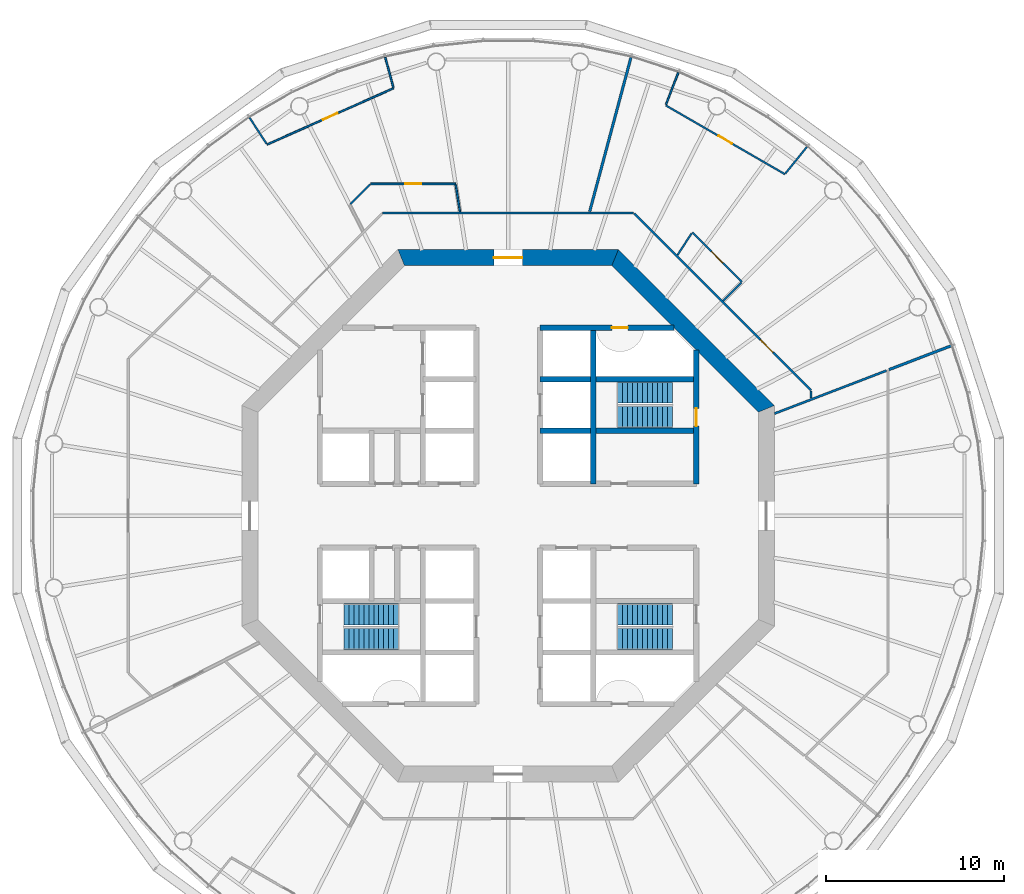
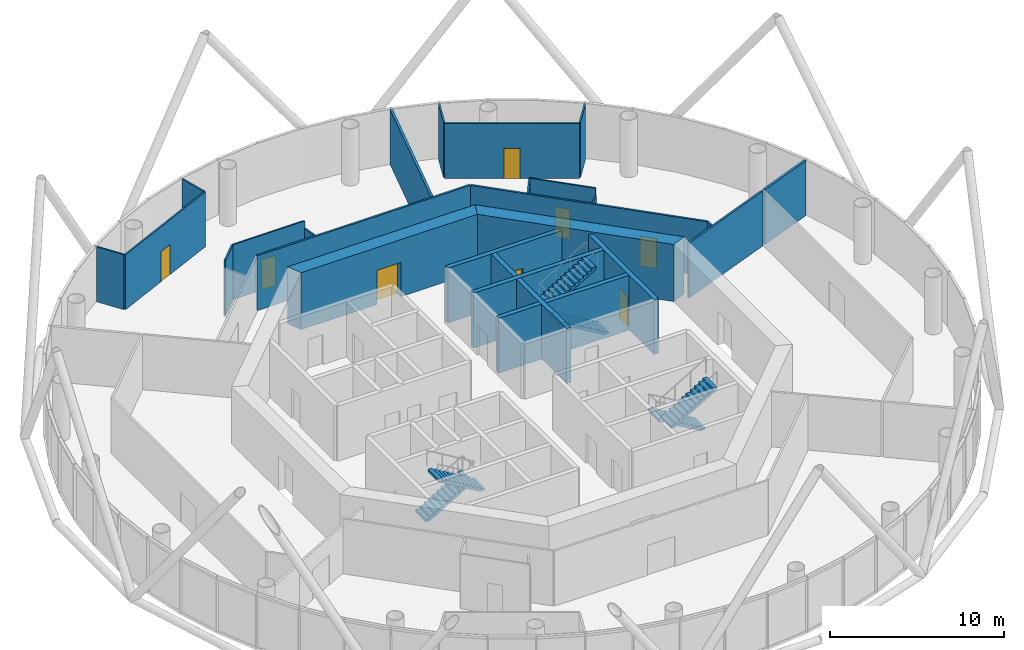
# One storey, part 5 of 12: 25 walls, 8 doors, 6 stair flights, 8 openings, 3 elements without a shape of their own.
"""IFC4 building model written with IfcOpenShell, lengths in metres."""

from ifc_helpers import new_model, si_unit, direction, frame, frame_2d, origin, place, context, subcontext, project, spatial, polyline, rectangle, outline, extrude, material, layer, layer_set, type_object, element, fill, aggregate, save


model = new_model("IFC4")

# Units and contexts
model_context = context("Model", 3, precision=1e-05, world=origin(), true_north=direction((0.0, 1.0)))
body_context = subcontext(model_context, "Body", "Model", "MODEL_VIEW")
ifc_project = project(units=[si_unit("LENGTHUNIT", "METRE"), si_unit("AREAUNIT", "SQUARE_METRE"), si_unit("VOLUMEUNIT", "CUBIC_METRE"), si_unit("PLANEANGLEUNIT", "RADIAN"), si_unit("MASSUNIT", "GRAM", prefix="KILO")], contexts=[model_context])

# Site, building, storey
site_placement = place(None, origin())
site = spatial("IfcSite", under=ifc_project, at=site_placement, CompositionType="ELEMENT")
building_placement = place(site_placement, origin())
building = spatial("IfcBuilding", under=site, at=building_placement, Name="Entoto Ring Tower", CompositionType="ELEMENT")
storey_placement = place(building_placement, frame((0.0, 0.0, 206.0)))
storey = spatial("IfcBuildingStorey", under=building, at=storey_placement, Name="L47", CompositionType="ELEMENT", Elevation=206.0)

# Wall, opening, door
ifc_material_1 = material(Name="Concrete C40/50", Category="concrete")
ifc_layer_1 = layer(ifc_material_1, 0.300048828125)
ifc_layer_set_1 = layer_set([ifc_layer_1], Name="Concrete C40/50")
wall_type_1 = type_object("IfcWallType", Name="Core enclosure wall 300 mm reinforced concrete", PredefinedType="SOLIDWALL", material=ifc_layer_set_1)
wall_1_placement = place(storey_placement, frame((100.60009765625, 81.800048828125, 0.0), z_axis=(0.0, 0.0, 1.0), x_axis=(0.0, 1.0, 0.0)))
wall_1 = element("IfcWall", 1, at=wall_1_placement, inside=storey, type_object=wall_type_1, Name="wall-L47-002", PredefinedType="SOLIDWALL", context=body_context, shape_type="SweptSolid", body=[
    extrude(rectangle(XDim=7.540283203125, YDim=0.300048828125, at=frame_2d((3.77001953125, 0.0))), origin(), (0.0, 0.0, 1.0), 3.85009765625),
])
opening_1_placement = place(wall_1_placement, frame((3.25, 0.0, 0.0)))
opening_1 = element("IfcOpeningElement", 2, at=opening_1_placement, cuts=wall_1, Name="Opening K-17", PredefinedType="OPENING", context=body_context, shape_type="SweptSolid", body=[
    extrude(rectangle(XDim=1.0, YDim=2.10009765625, at=frame_2d((0.5, 1.050048828125))), frame((0.0, 0.16015625, 0.0), z_axis=(0.0, -1.0, 0.0), x_axis=(1.0, 0.0, 0.0)), (0.0, 0.0, 1.0), 0.320068359375),
])
ifc_material_2 = material(Name="Steel door leaf, fire rated", Category="steel")
ifc_layer_2 = layer(ifc_material_2, 0.050048828125)
ifc_layer_set_2 = layer_set([ifc_layer_2], Name="Steel door leaf, fire rated")
door_type_1 = type_object("IfcDoorType", Name="Fire door FD60 1000 x 2100 single leaf", OperationType="NOTDEFINED", PredefinedType="DOOR", material=ifc_layer_set_2)
door_1_placement = place(opening_1_placement, origin())
door_1 = element("IfcDoor", 3, at=door_1_placement, inside=storey, type_object=door_type_1, Name="Door K-17", OperationType="SINGLE_SWING_LEFT", OverallHeight=2.10009765625, OverallWidth=1.0, PredefinedType="DOOR", context=body_context, shape_type="SweptSolid", body=[
    extrude(rectangle(XDim=1.0, YDim=2.10009765625, at=frame_2d((0.5, 1.050048828125))), frame((0.0, 0.02490234375, 0.0), z_axis=(0.0, -1.0, 0.0), x_axis=(1.0, 0.0, 0.0)), (0.0, 0.0, 1.0), 0.050048828125),
])
fill(opening_1, door_1)

# Walls
for number, where, z_axis, x_axis, name in (
    (4, (94.800048828125, 81.800048828125, 0.0), (0.0, 0.0, 1.0), (0.0, 1.0, 0.0), "wall-L47-004"),
    (5, (91.800048828125, 84.800048828125, 0.0), (0.0, 0.0, 1.0), (1.0, 0.0, 0.0), "wall-L47-028"),
    (6, (91.800048828125, 87.699951171875, 0.0), (0.0, 0.0, 1.0), (1.0, 0.0, 0.0), "wall-L47-030"),
):
    element("IfcWall", number, at=place(storey_placement, frame(where, z_axis=z_axis, x_axis=x_axis)), inside=storey, type_object=wall_type_1, Name=name, PredefinedType="SOLIDWALL", context=body_context, shape_type="SweptSolid", body=[
        extrude(rectangle(XDim=8.800048828125, YDim=0.300048828125, at=frame_2d((4.39990234375, 0.0))), origin(), (0.0, 0.0, 1.0), 3.85009765625),
    ])

# Wall, opening, door
wall_2_placement = place(storey_placement, frame((91.800048828125, 90.60009765625, 0.0), z_axis=(0.0, 0.0, 1.0), x_axis=(1.0, 0.0, 0.0)))
wall_2 = element("IfcWall", 7, at=wall_2_placement, inside=storey, type_object=wall_type_1, Name="wall-L47-032", PredefinedType="SOLIDWALL", context=body_context, shape_type="SweptSolid", body=[
    extrude(rectangle(XDim=7.540283203125, YDim=0.300048828125, at=frame_2d((3.77001953125, 0.0))), origin(), (0.0, 0.0, 1.0), 3.85009765625),
])
opening_2_placement = place(wall_2_placement, frame((4.050048828125, 0.0, 0.0)))
opening_2 = element("IfcOpeningElement", 8, at=opening_2_placement, cuts=wall_2, Name="Opening K-20", PredefinedType="OPENING", context=body_context, shape_type="SweptSolid", body=[
    extrude(rectangle(XDim=0.89990234375, YDim=2.10009765625, at=frame_2d((0.449951171875, 1.050048828125))), frame((0.0, 0.16015625, 0.0), z_axis=(0.0, -1.0, 0.0), x_axis=(1.0, 0.0, 0.0)), (0.0, 0.0, 1.0), 0.320068359375),
])
ifc_material_3 = material(Name="Steel door leaf, fire rated", Category="steel")
ifc_layer_3 = layer(ifc_material_3, 0.050048828125)
ifc_layer_set_3 = layer_set([ifc_layer_3], Name="Steel door leaf, fire rated")
door_type_2 = type_object("IfcDoorType", Name="Riser door FD60 900 x 2100 single leaf", OperationType="NOTDEFINED", PredefinedType="DOOR", material=ifc_layer_set_3)
door_2_placement = place(opening_2_placement, frame((0.89990234375, 0.0, 0.0), z_axis=(0.0, 0.0, 1.0), x_axis=(-1.0, 0.0, 0.0)))
door_2 = element("IfcDoor", 9, at=door_2_placement, inside=storey, type_object=door_type_2, Name="Door K-20", OperationType="SINGLE_SWING_RIGHT", OverallHeight=2.10009765625, OverallWidth=0.89990234375, PredefinedType="DOOR", context=body_context, shape_type="SweptSolid", body=[
    extrude(rectangle(XDim=0.89990234375, YDim=2.10009765625, at=frame_2d((0.449951171875, 1.050048828125))), frame((0.0, 0.02490234375, 0.0), z_axis=(0.0, -1.0, 0.0), x_axis=(1.0, 0.0, 0.0)), (0.0, 0.0, 1.0), 0.050048828125),
])
fill(opening_2, door_2)

# Wall
ifc_material_4 = material(Name="Concrete C50/60", Category="concrete")
ifc_layer_4 = layer(ifc_material_4, 0.89990234375)
ifc_layer_set_4 = layer_set([ifc_layer_4], Name="Concrete C50/60")
wall_type_2 = type_object("IfcWallType", Name="Core shear wall 900 mm reinforced concrete C50/60", PredefinedType="SHEAR", material=ifc_layer_set_4)
wall_3_placement = place(storey_placement, frame((104.550048828125, 86.02685546875, 0.0), z_axis=(0.0, 0.0, 1.0), x_axis=(-0.707106781187, 0.707106781187, 0.0)))
element("IfcWall", 10, at=wall_3_placement, inside=storey, type_object=wall_type_2, Name="wall-L47-core-1", PredefinedType="SHEAR", context=body_context, shape_type="SweptSolid", body=[
    extrude(outline(polyline([(-0.186279296875, -0.449951171875), (12.239990234375, -0.449951171875), (11.867431640625, 0.449951171875), (0.186279296875, 0.449951171875), (-0.186279296875, -0.449951171875)])), origin(), (0.0, 0.0, 1.0), 4.0),
])

# Wall, opening, door
wall_4_placement = place(storey_placement, frame((96.02685546875, 94.550048828125, 0.0), z_axis=(0.0, 0.0, 1.0), x_axis=(-1.0, 0.0, 0.0)))
wall_4 = element("IfcWall", 11, at=wall_4_placement, inside=storey, type_object=wall_type_2, Name="wall-L47-core-2", PredefinedType="SHEAR", context=body_context, shape_type="SweptSolid", body=[
    extrude(outline(polyline([(-0.186279296875, -0.449951171875), (12.239990234375, -0.449951171875), (11.867431640625, 0.449951171875), (0.186279296875, 0.449951171875), (-0.186279296875, -0.449951171875)])), origin(), (0.0, 0.0, 1.0), 4.0),
])
opening_3_placement = place(wall_4_placement, frame((5.226806640625, 0.0, 0.0)))
opening_3 = element("IfcOpeningElement", 12, at=opening_3_placement, cuts=wall_4, Name="Opening K-02", PredefinedType="OPENING", context=body_context, shape_type="SweptSolid", body=[
    extrude(rectangle(XDim=1.60009765625, YDim=2.39990234375, at=frame_2d((0.800048828125, 1.199951171875))), frame((0.0, 0.4599609375, 0.0), z_axis=(0.0, -1.0, 0.0), x_axis=(1.0, 0.0, 0.0)), (0.0, 0.0, 1.0), 0.919921875),
])
ifc_material_5 = material(Name="Steel door leaf, fire rated", Category="steel")
ifc_layer_5 = layer(ifc_material_5, 0.050048828125)
ifc_layer_set_5 = layer_set([ifc_layer_5], Name="Steel door leaf, fire rated")
door_type_3 = type_object("IfcDoorType", Name="Entrance door FD60 1600 x 2400 double leaf", OperationType="DOUBLE_DOOR_SINGLE_SWING", PredefinedType="DOOR", material=ifc_layer_set_5)
door_3_placement = place(opening_3_placement, origin())
door_3 = element("IfcDoor", 13, at=door_3_placement, inside=storey, type_object=door_type_3, Name="Entrance door K-02", OperationType="DOUBLE_DOOR_SINGLE_SWING", OverallHeight=2.39990234375, OverallWidth=1.60009765625, PredefinedType="DOOR", context=body_context, shape_type="SweptSolid", body=[
    extrude(rectangle(XDim=1.60009765625, YDim=2.39990234375, at=frame_2d((0.800048828125, 1.199951171875))), frame((0.0, 0.02490234375, 0.0), z_axis=(0.0, -1.0, 0.0), x_axis=(1.0, 0.0, 0.0)), (0.0, 0.0, 1.0), 0.050048828125),
])
fill(opening_3, door_3)

# Wall
ifc_material_6 = material(Name="Fire-resisting plasterboard on steel studs", Category="steel")
ifc_layer_6 = layer(ifc_material_6, 0.125)
ifc_layer_set_6 = layer_set([ifc_layer_6], Name="Fire-resisting plasterboard on steel studs")
wall_type_3 = type_object("IfcWallType", Name="Corridor wall 125 mm one-hour plasterboard on steel studs", PredefinedType="PARTITIONING", material=ifc_layer_set_6)
wall_5_placement = place(storey_placement, frame((82.9326171875, 97.0625, 0.0), z_axis=(0.0, 0.0, 1.0), x_axis=(1.0, 0.0, 0.0)))
element("IfcWall", 14, at=wall_5_placement, inside=storey, type_object=wall_type_3, Name="partition-L47-004", PredefinedType="PARTITIONING", context=body_context, shape_type="SweptSolid", body=[
    extrude(rectangle(XDim=14.134765625, YDim=0.125, at=frame_2d((7.0673828125, 0.0))), origin(), (0.0, 0.0, 1.0), 3.85009765625),
])

# Wall, opening, door
wall_6_placement = place(storey_placement, frame((107.0625, 87.0673828125, 0.0), z_axis=(0.0, 0.0, 1.0), x_axis=(-0.707098118263, 0.707115444004, 0.0)))
wall_6 = element("IfcWall", 15, at=wall_6_placement, inside=storey, type_object=wall_type_3, Name="partition-L47-005", PredefinedType="PARTITIONING", context=body_context, shape_type="SweptSolid", body=[
    extrude(rectangle(XDim=14.09130859375, YDim=0.125, at=frame_2d((7.045654296875, 0.0))), origin(), (0.0, 0.0, 1.0), 3.85009765625),
])
opening_4_placement = place(wall_6_placement, frame((3.03369140625, 0.0, 0.0)))
opening_4 = element("IfcOpeningElement", 16, at=opening_4_placement, cuts=wall_6, Name="Opening A21-D03", PredefinedType="OPENING", context=body_context, shape_type="SweptSolid", body=[
    extrude(rectangle(XDim=1.0, YDim=2.10009765625, at=frame_2d((0.5, 1.050048828125))), frame((0.0, 0.072509765625, 0.0), z_axis=(0.0, -1.0, 0.0), x_axis=(1.0, 0.0, 0.0)), (0.0, 0.0, 1.0), 0.14501953125),
])
ifc_material_7 = material(Name="Fire-resisting timber door set", Category="wood")
door_type_4 = type_object("IfcDoorType", Name="Door 1000 x 2100 single leaf FD30S fire door", OperationType="NOTDEFINED", PredefinedType="DOOR", material=ifc_material_7)
door_4_placement = place(opening_4_placement, frame((1.0, 0.0, 0.0), z_axis=(0.0, 0.0, 1.0), x_axis=(-1.0, 0.0, 0.0)))
door_4 = element("IfcDoor", 17, at=door_4_placement, inside=storey, type_object=door_type_4, Name="Door A21-D03", OperationType="SINGLE_SWING_LEFT", OverallHeight=2.10009765625, OverallWidth=1.0, PredefinedType="DOOR", context=body_context, shape_type="SweptSolid", body=[
    extrude(rectangle(XDim=1.0, YDim=2.10009765625, at=frame_2d((0.5, 1.050048828125))), frame((0.0, 0.02490234375, 0.0), z_axis=(0.0, -1.0, 0.0), x_axis=(1.0, 0.0, 0.0)), (0.0, 0.0, 1.0), 0.050048828125),
])
fill(opening_4, door_4)

# Walls
wall_7_placement = place(storey_placement, frame((105.0, 85.758056640625, 0.0), z_axis=(0.0, 0.0, 1.0), x_axis=(0.933585389183, 0.358355021038, 0.0)))
element("IfcWall", 18, at=wall_7_placement, inside=storey, type_object=wall_type_3, Name="partition-L47-009", PredefinedType="PARTITIONING", context=body_context, shape_type="SweptSolid", body=[
    extrude(rectangle(XDim=6.764404296875, YDim=0.125, at=frame_2d((3.38232421875, 0.0))), origin(), (0.0, 0.0, 1.0), 3.85009765625),
])
wall_8_placement = place(storey_placement, frame((107.0625, 86.640380859375, 0.0), z_axis=(0.0, 0.0, 1.0), x_axis=(0.0, 1.0, 0.0)))
element("IfcWall", 19, at=wall_8_placement, inside=storey, type_object=wall_type_3, Name="partition-L47-016", PredefinedType="PARTITIONING", context=body_context, shape_type="SweptSolid", body=[
    extrude(rectangle(XDim=0.383056640625, YDim=0.125, at=frame_2d((0.19140625, 0.0))), origin(), (0.0, 0.0, 1.0), 3.85009765625),
])

# Wall, opening, door
ifc_material_8 = material(Name="Plasterboard on steel studs", Category="steel")
ifc_layer_7 = layer(ifc_material_8, 0.10009765625)
ifc_layer_set_7 = layer_set([ifc_layer_7], Name="Plasterboard on steel studs")
wall_type_4 = type_object("IfcWallType", Name="Partition 100 mm plasterboard on steel studs", PredefinedType="PARTITIONING", material=ifc_layer_set_7)
wall_9_placement = place(storey_placement, frame((76.416748046875, 100.91650390625, 0.0), z_axis=(0.0, 0.0, 1.0), x_axis=(0.913554608745, 0.406716088741, 0.0)))
wall_9 = element("IfcWall", 20, at=wall_9_placement, inside=storey, type_object=wall_type_4, Name="partition-L47-022", PredefinedType="PARTITIONING", context=body_context, shape_type="SweptSolid", body=[
    extrude(rectangle(XDim=7.802978515625, YDim=0.10009765625, at=frame_2d((3.9013671875, 0.0))), origin(), (0.0, 0.0, 1.0), 3.85009765625),
])
opening_5_placement = place(wall_9_placement, frame((3.451416015625, 0.0, 0.0)))
opening_5 = element("IfcOpeningElement", 21, at=opening_5_placement, cuts=wall_9, Name="Opening A21-D08", PredefinedType="OPENING", context=body_context, shape_type="SweptSolid", body=[
    extrude(rectangle(XDim=0.89990234375, YDim=2.10009765625, at=frame_2d((0.449951171875, 1.050048828125))), frame((0.0, 0.06005859375, 0.0), z_axis=(0.0, -1.0, 0.0), x_axis=(1.0, 0.0, 0.0)), (0.0, 0.0, 1.0), 0.1201171875),
])
ifc_material_9 = material(Name="Veneered timber door leaf in timber frame", Category="wood")
door_type_5 = type_object("IfcDoorType", Name="Door 900 x 2100 single leaf timber veneer", OperationType="NOTDEFINED", PredefinedType="DOOR", material=ifc_material_9)
door_5_placement = place(opening_5_placement, origin())
door_5 = element("IfcDoor", 22, at=door_5_placement, inside=storey, type_object=door_type_5, Name="Door A21-D08", OperationType="SINGLE_SWING_LEFT", OverallHeight=2.10009765625, OverallWidth=0.89990234375, PredefinedType="DOOR", context=body_context, shape_type="SweptSolid", body=[
    extrude(rectangle(XDim=0.89990234375, YDim=2.10009765625, at=frame_2d((0.449951171875, 1.050048828125))), frame((0.0, 0.02490234375, 0.0), z_axis=(0.0, -1.0, 0.0), x_axis=(1.0, 0.0, 0.0)), (0.0, 0.0, 1.0), 0.050048828125),
])
fill(opening_5, door_5)

wall_10_placement = place(storey_placement, frame((105.58837890625, 99.25, 0.0), z_axis=(0.0, 0.0, 1.0), x_axis=(-0.866038174919, 0.499977879093, 0.0)))
wall_10 = element("IfcWall", 23, at=wall_10_placement, inside=storey, type_object=wall_type_4, Name="partition-L47-024", PredefinedType="PARTITIONING", context=body_context, shape_type="SweptSolid", body=[
    extrude(rectangle(XDim=7.749755859375, YDim=0.10009765625, at=frame_2d((3.875, 0.0))), origin(), (0.0, 0.0, 1.0), 3.85009765625),
])
opening_6_placement = place(wall_10_placement, frame((3.4248046875, 0.0, 0.0)))
opening_6 = element("IfcOpeningElement", 24, at=opening_6_placement, cuts=wall_10, Name="Opening A21-D05", PredefinedType="OPENING", context=body_context, shape_type="SweptSolid", body=[
    extrude(rectangle(XDim=0.89990234375, YDim=2.10009765625, at=frame_2d((0.449951171875, 1.050048828125))), frame((0.0, 0.06005859375, 0.0), z_axis=(0.0, -1.0, 0.0), x_axis=(1.0, 0.0, 0.0)), (0.0, 0.0, 1.0), 0.1201171875),
])
door_6_placement = place(opening_6_placement, frame((0.89990234375, 0.0, 0.0), z_axis=(0.0, 0.0, 1.0), x_axis=(-1.0, 0.0, 0.0)))
door_6 = element("IfcDoor", 25, at=door_6_placement, inside=storey, type_object=door_type_5, Name="Door A21-D05", OperationType="SINGLE_SWING_LEFT", OverallHeight=2.10009765625, OverallWidth=0.89990234375, PredefinedType="DOOR", context=body_context, shape_type="SweptSolid", body=[
    extrude(rectangle(XDim=0.89990234375, YDim=2.10009765625, at=frame_2d((0.449951171875, 1.050048828125))), frame((0.0, 0.02490234375, 0.0), z_axis=(0.0, -1.0, 0.0), x_axis=(1.0, 0.0, 0.0)), (0.0, 0.0, 1.0), 0.050048828125),
])
fill(opening_6, door_6)

wall_11_placement = place(storey_placement, frame((82.253173828125, 98.702392578125, 0.0), z_axis=(0.0, 0.0, 1.0), x_axis=(1.0, 0.0, 0.0)))
wall_11 = element("IfcWall", 26, at=wall_11_placement, inside=storey, type_object=wall_type_4, Name="partition-L47-025", PredefinedType="PARTITIONING", context=body_context, shape_type="SweptSolid", body=[
    extrude(rectangle(XDim=4.78466796875, YDim=0.10009765625, at=frame_2d((2.392333984375, 0.0))), origin(), (0.0, 0.0, 1.0), 3.85009765625),
])
opening_7_placement = place(wall_11_placement, frame((1.9423828125, 0.0, 0.0)))
opening_7 = element("IfcOpeningElement", 27, at=opening_7_placement, cuts=wall_11, Name="Opening A21-D07", PredefinedType="OPENING", context=body_context, shape_type="SweptSolid", body=[
    extrude(rectangle(XDim=0.89990234375, YDim=2.10009765625, at=frame_2d((0.449951171875, 1.050048828125))), frame((0.0, 0.06005859375, 0.0), z_axis=(0.0, -1.0, 0.0), x_axis=(1.0, 0.0, 0.0)), (0.0, 0.0, 1.0), 0.1201171875),
])
door_7_placement = place(opening_7_placement, frame((0.89990234375, 0.0, 0.0), z_axis=(0.0, 0.0, 1.0), x_axis=(-1.0, 0.0, 0.0)))
door_7 = element("IfcDoor", 28, at=door_7_placement, inside=storey, type_object=door_type_5, Name="Door A21-D07", OperationType="SINGLE_SWING_LEFT", OverallHeight=2.10009765625, OverallWidth=0.89990234375, PredefinedType="DOOR", context=body_context, shape_type="SweptSolid", body=[
    extrude(rectangle(XDim=0.89990234375, YDim=2.10009765625, at=frame_2d((0.449951171875, 1.050048828125))), frame((0.0, 0.02490234375, 0.0), z_axis=(0.0, -1.0, 0.0), x_axis=(1.0, 0.0, 0.0)), (0.0, 0.0, 1.0), 0.050048828125),
])
fill(opening_7, door_7)

wall_12_placement = place(storey_placement, frame((103.168212890625, 93.168212890625, 0.0), z_axis=(0.0, 0.0, 1.0), x_axis=(-0.707137619486, 0.707075941542, 0.0)))
wall_12 = element("IfcWall", 29, at=wall_12_placement, inside=storey, type_object=wall_type_4, Name="partition-L47-027", PredefinedType="PARTITIONING", context=body_context, shape_type="SweptSolid", body=[
    extrude(rectangle(XDim=3.958251953125, YDim=0.10009765625, at=frame_2d((1.97900390625, 0.0))), origin(), (0.0, 0.0, 1.0), 3.85009765625),
])
opening_8_placement = place(wall_12_placement, frame((1.529296875, 0.0, 0.0)))
opening_8 = element("IfcOpeningElement", 30, at=opening_8_placement, cuts=wall_12, Name="Opening A21-D04", PredefinedType="OPENING", context=body_context, shape_type="SweptSolid", body=[
    extrude(rectangle(XDim=0.89990234375, YDim=2.10009765625, at=frame_2d((0.449951171875, 1.050048828125))), frame((0.0, 0.06005859375, 0.0), z_axis=(0.0, -1.0, 0.0), x_axis=(1.0, 0.0, 0.0)), (0.0, 0.0, 1.0), 0.1201171875),
])
door_8_placement = place(opening_8_placement, origin())
door_8 = element("IfcDoor", 31, at=door_8_placement, inside=storey, type_object=door_type_5, Name="Door A21-D04", OperationType="SINGLE_SWING_RIGHT", OverallHeight=2.10009765625, OverallWidth=0.89990234375, PredefinedType="DOOR", context=body_context, shape_type="SweptSolid", body=[
    extrude(rectangle(XDim=0.89990234375, YDim=2.10009765625, at=frame_2d((0.449951171875, 1.050048828125))), frame((0.0, 0.02490234375, 0.0), z_axis=(0.0, -1.0, 0.0), x_axis=(1.0, 0.0, 0.0)), (0.0, 0.0, 1.0), 0.050048828125),
])
fill(opening_8, door_8)

# Walls
for number, where, z_axis, x_axis, name in (
    (32, (98.894287109375, 103.1708984375, 0.0), (0.0, 0.0, 1.0), (0.358467939372, 0.933542037855, 0.0), "partition-L47-028"),
    (33, (105.619384765625, 99.2880859375, 0.0), (0.0, 0.0, 1.0), (0.629179945972, 0.77725967063, 0.0), "partition-L47-029"),
):
    element("IfcWall", number, at=place(storey_placement, frame(where, z_axis=z_axis, x_axis=x_axis)), inside=storey, type_object=wall_type_4, Name=name, PredefinedType="PARTITIONING", context=body_context, shape_type="SweptSolid", body=[
        extrude(rectangle(XDim=1.920654296875, YDim=0.10009765625, at=frame_2d((0.96044921875, 0.0))), origin(), (0.0, 0.0, 1.0), 3.85009765625),
    ])
for number, where, z_axis, x_axis, name in (
    (34, (83.5322265625, 104.1376953125, 0.0), (0.0, 0.0, 1.0), (-0.258808109148, 0.965928756503, 0.0), "partition-L47-032"),
    (35, (76.389892578125, 100.957763671875, 0.0), (0.0, 0.0, 1.0), (-0.544684420792, 0.838641092331, 0.0), "partition-L47-033"),
):
    element("IfcWall", number, at=place(storey_placement, frame(where, z_axis=z_axis, x_axis=x_axis)), inside=storey, type_object=wall_type_4, Name=name, PredefinedType="PARTITIONING", context=body_context, shape_type="SweptSolid", body=[
        extrude(rectangle(XDim=1.750732421875, YDim=0.10009765625, at=frame_2d((0.87548828125, 0.0))), origin(), (0.0, 0.0, 1.0), 3.85009765625),
    ])
wall_13_placement = place(storey_placement, frame((81.105712890625, 97.55517578125, 0.0), z_axis=(0.0, 0.0, 1.0), x_axis=(0.707106781187, 0.707106781187, 0.0)))
element("IfcWall", 36, at=wall_13_placement, inside=storey, type_object=wall_type_4, Name="partition-L47-036", PredefinedType="PARTITIONING", context=body_context, shape_type="SweptSolid", body=[
    extrude(rectangle(XDim=1.587646484375, YDim=0.10009765625, at=frame_2d((0.7939453125, 0.0))), origin(), (0.0, 0.0, 1.0), 3.85009765625),
])
wall_14_placement = place(storey_placement, frame((99.541015625, 94.69189453125, 0.0), z_axis=(0.0, 0.0, 1.0), x_axis=(0.544735383894, 0.838607990383, 0.0)))
element("IfcWall", 37, at=wall_14_placement, inside=storey, type_object=wall_type_4, Name="partition-L47-039", PredefinedType="PARTITIONING", context=body_context, shape_type="SweptSolid", body=[
    extrude(rectangle(XDim=1.458740234375, YDim=0.10009765625, at=frame_2d((0.7294921875, 0.0))), origin(), (0.0, 0.0, 1.0), 3.85009765625),
])
ifc_material_10 = material(Name="Plasterboard on steel studs", Category="steel")
ifc_layer_8 = layer(ifc_material_10, 0.10009765625)
ifc_layer_set_8 = layer_set([ifc_layer_8], Name="Plasterboard on steel studs")
wall_type_5 = type_object("IfcWallType", Name="Partition 100 mm plasterboard on steel studs, 3350 mm high", PredefinedType="PARTITIONING", material=ifc_layer_set_8)
wall_15_placement = place(storey_placement, frame((87.286376953125, 97.1328125, 0.0), z_axis=(0.0, 0.0, 1.0), x_axis=(-0.156475439167, 0.98768185006, 0.0)))
element("IfcWall", 38, at=wall_15_placement, inside=storey, type_object=wall_type_5, Name="partition-L47-038", PredefinedType="PARTITIONING", context=body_context, shape_type="SweptSolid", body=[
    extrude(rectangle(XDim=1.5400390625, YDim=0.10009765625, at=frame_2d((0.77001953125, 0.0))), origin(), (0.0, 0.0, 1.0), 3.35009765625),
])
wall_16_placement = place(storey_placement, frame((102.109375, 92.109375, 0.0), z_axis=(0.0, 0.0, 1.0), x_axis=(0.707106781187, 0.707106781187, 0.0)))
element("IfcWall", 39, at=wall_16_placement, inside=storey, type_object=wall_type_5, Name="partition-L47-040", PredefinedType="PARTITIONING", context=body_context, shape_type="SweptSolid", body=[
    extrude(rectangle(XDim=1.447265625, YDim=0.10009765625, at=frame_2d((0.7236328125, 0.0))), origin(), (0.0, 0.0, 1.0), 3.35009765625),
])
ifc_material_11 = material(Name="Fire-resisting acoustic plasterboard on steel studs", Category="steel")
ifc_layer_9 = layer(ifc_material_11, 0.14990234375)
ifc_layer_set_9 = layer_set([ifc_layer_9], Name="Fire-resisting acoustic plasterboard on steel studs")
wall_type_6 = type_object("IfcWallType", Name="Party wall 150 mm one-hour acoustic plasterboard on steel studs", PredefinedType="PARTITIONING", material=ifc_layer_set_9)
wall_17_placement = place(storey_placement, frame((94.59375, 97.144287109375, 0.0), z_axis=(0.0, 0.0, 1.0), x_axis=(0.258831999562, 0.965922355059, 0.0)))
element("IfcWall", 40, at=wall_17_placement, inside=storey, type_object=wall_type_6, Name="partition-L47-017", PredefinedType="PARTITIONING", context=body_context, shape_type="SweptSolid", body=[
    extrude(rectangle(XDim=8.990966796875, YDim=0.14990234375, at=frame_2d((4.49560546875, 0.0))), origin(), (0.0, 0.0, 1.0), 3.85009765625),
])
wall_18_placement = place(storey_placement, frame((111.454345703125, 88.235595703125, 0.0), z_axis=(0.0, 0.0, 1.0), x_axis=(0.933581415209, 0.358365373852, 0.0)))
element("IfcWall", 41, at=wall_18_placement, inside=storey, type_object=wall_type_6, Name="partition-L47-021", PredefinedType="PARTITIONING", context=body_context, shape_type="SweptSolid", body=[
    extrude(rectangle(XDim=3.75927734375, YDim=0.14990234375, at=frame_2d((1.879638671875, 0.0))), origin(), (0.0, 0.0, 1.0), 3.85009765625),
])

# Stair, stair flights
ifc_material_12 = material(Name="Concrete C40/50", Category="concrete")
stair_type = type_object("IfcStairType", Name="Exit stair 1200 mm dog-leg reinforced concrete", PredefinedType="HALF_TURN_STAIR", material=ifc_material_12)
stair_1_placement = place(storey_placement, origin())
stair_1 = element("IfcStair", 42, at=stair_1_placement, inside=storey, type_object=stair_type, Name="Exit stair 1", PredefinedType="HALF_TURN_STAIR")
ifc_material_13 = material(Name="Concrete C40/50", Category="concrete")
stair_flight_type = type_object("IfcStairFlightType", Name="Stair flight 1200 mm reinforced concrete", PredefinedType="STRAIGHT", material=ifc_material_13)
stair_flight_1_placement = place(storey_placement, frame((99.25, 85.550048828125, 0.0), z_axis=(0.0, 0.0, 1.0), x_axis=(-1.0, 0.0, 0.0)))
stair_flight_1 = element("IfcStairFlight", 43, at=stair_flight_1_placement, type_object=stair_flight_type, Name="ST1 flight 1", NumberOfRisers=12, NumberOfTreads=11, PredefinedType="STRAIGHT", RiserHeight=0.166666667, TreadLength=0.28, context=body_context, shape_type="SweptSolid", body=[
    extrude(outline(polyline([(0.0, 0.0), (0.0, 0.166748046875), (0.280029296875, 0.166748046875), (0.280029296875, 0.333251953125), (0.56005859375, 0.333251953125), (0.56005859375, 0.5), (0.840087890625, 0.5), (0.840087890625, 0.666748046875), (1.1201171875, 0.666748046875), (1.1201171875, 0.833251953125), (1.39990234375, 0.833251953125), (1.39990234375, 1.0), (1.679931640625, 1.0), (1.679931640625, 1.166748046875), (1.9599609375, 1.166748046875), (1.9599609375, 1.333251953125), (2.239990234375, 1.333251953125), (2.239990234375, 1.5), (2.52001953125, 1.5), (2.52001953125, 1.666748046875), (2.800048828125, 1.666748046875), (2.800048828125, 1.833251953125), (3.080078125, 1.833251953125), (3.080078125, 2.0), (3.080078125, 1.658935546875), (0.29296875, 0.0), (0.0, 0.0)])), frame((0.0, 0.60009765625, 0.0), z_axis=(0.0, -1.0, 0.0), x_axis=(1.0, 0.0, 0.0)), (0.0, 0.0, 1.0), 1.199951171875),
])
stair_flight_2_placement = place(storey_placement, frame((96.169921875, 86.949951171875, 2.0), z_axis=(0.0, 0.0, 1.0), x_axis=(1.0, 0.0, 0.0)))
stair_flight_2 = element("IfcStairFlight", 44, at=stair_flight_2_placement, type_object=stair_flight_type, Name="ST1 flight 2", NumberOfRisers=12, NumberOfTreads=11, PredefinedType="STRAIGHT", RiserHeight=0.166666667, TreadLength=0.28, context=body_context, shape_type="SweptSolid", body=[
    extrude(outline(polyline([(0.0, 0.0), (0.0, 0.166748046875), (0.280029296875, 0.166748046875), (0.280029296875, 0.333251953125), (0.56005859375, 0.333251953125), (0.56005859375, 0.5), (0.840087890625, 0.5), (0.840087890625, 0.666748046875), (1.1201171875, 0.666748046875), (1.1201171875, 0.833251953125), (1.39990234375, 0.833251953125), (1.39990234375, 1.0), (1.679931640625, 1.0), (1.679931640625, 1.166748046875), (1.9599609375, 1.166748046875), (1.9599609375, 1.333251953125), (2.239990234375, 1.333251953125), (2.239990234375, 1.5), (2.52001953125, 1.5), (2.52001953125, 1.666748046875), (2.800048828125, 1.666748046875), (2.800048828125, 1.833251953125), (3.080078125, 1.833251953125), (3.080078125, 2.0), (3.080078125, 1.658935546875), (0.29296875, 0.0), (0.0, 0.0)])), frame((0.0, 0.60009765625, 0.0), z_axis=(0.0, -1.0, 0.0), x_axis=(1.0, 0.0, 0.0)), (0.0, 0.0, 1.0), 1.199951171875),
])
aggregate(stair_1, [stair_flight_1, stair_flight_2])

stair_2_placement = place(storey_placement, origin())
stair_2 = element("IfcStair", 45, at=stair_2_placement, inside=storey, type_object=stair_type, Name="Exit stair 2", PredefinedType="HALF_TURN_STAIR")
stair_flight_3_placement = place(storey_placement, frame((80.75, 74.449951171875, 0.0), z_axis=(0.0, 0.0, 1.0), x_axis=(1.0, 0.0, 0.0)))
stair_flight_3 = element("IfcStairFlight", 46, at=stair_flight_3_placement, type_object=stair_flight_type, Name="ST2 flight 1", NumberOfRisers=12, NumberOfTreads=11, PredefinedType="STRAIGHT", RiserHeight=0.166666667, TreadLength=0.28, context=body_context, shape_type="SweptSolid", body=[
    extrude(outline(polyline([(0.0, 0.0), (0.0, 0.166748046875), (0.280029296875, 0.166748046875), (0.280029296875, 0.333251953125), (0.56005859375, 0.333251953125), (0.56005859375, 0.5), (0.840087890625, 0.5), (0.840087890625, 0.666748046875), (1.1201171875, 0.666748046875), (1.1201171875, 0.833251953125), (1.39990234375, 0.833251953125), (1.39990234375, 1.0), (1.679931640625, 1.0), (1.679931640625, 1.166748046875), (1.9599609375, 1.166748046875), (1.9599609375, 1.333251953125), (2.239990234375, 1.333251953125), (2.239990234375, 1.5), (2.52001953125, 1.5), (2.52001953125, 1.666748046875), (2.800048828125, 1.666748046875), (2.800048828125, 1.833251953125), (3.080078125, 1.833251953125), (3.080078125, 2.0), (3.080078125, 1.658935546875), (0.29296875, 0.0), (0.0, 0.0)])), frame((0.0, 0.60009765625, 0.0), z_axis=(0.0, -1.0, 0.0), x_axis=(1.0, 0.0, 0.0)), (0.0, 0.0, 1.0), 1.199951171875),
])
stair_flight_4_placement = place(storey_placement, frame((83.830078125, 73.050048828125, 2.0), z_axis=(0.0, 0.0, 1.0), x_axis=(-1.0, 0.0, 0.0)))
stair_flight_4 = element("IfcStairFlight", 47, at=stair_flight_4_placement, type_object=stair_flight_type, Name="ST2 flight 2", NumberOfRisers=12, NumberOfTreads=11, PredefinedType="STRAIGHT", RiserHeight=0.166666667, TreadLength=0.28, context=body_context, shape_type="SweptSolid", body=[
    extrude(outline(polyline([(0.0, 0.0), (0.0, 0.166748046875), (0.280029296875, 0.166748046875), (0.280029296875, 0.333251953125), (0.56005859375, 0.333251953125), (0.56005859375, 0.5), (0.840087890625, 0.5), (0.840087890625, 0.666748046875), (1.1201171875, 0.666748046875), (1.1201171875, 0.833251953125), (1.39990234375, 0.833251953125), (1.39990234375, 1.0), (1.679931640625, 1.0), (1.679931640625, 1.166748046875), (1.9599609375, 1.166748046875), (1.9599609375, 1.333251953125), (2.239990234375, 1.333251953125), (2.239990234375, 1.5), (2.52001953125, 1.5), (2.52001953125, 1.666748046875), (2.800048828125, 1.666748046875), (2.800048828125, 1.833251953125), (3.080078125, 1.833251953125), (3.080078125, 2.0), (3.080078125, 1.658935546875), (0.29296875, 0.0), (0.0, 0.0)])), frame((0.0, 0.60009765625, 0.0), z_axis=(0.0, -1.0, 0.0), x_axis=(1.0, 0.0, 0.0)), (0.0, 0.0, 1.0), 1.199951171875),
])
aggregate(stair_2, [stair_flight_3, stair_flight_4])

stair_3_placement = place(storey_placement, origin())
stair_3 = element("IfcStair", 48, at=stair_3_placement, inside=storey, type_object=stair_type, Name="Exit stair 3", PredefinedType="HALF_TURN_STAIR")
stair_flight_5_placement = place(storey_placement, frame((99.25, 74.449951171875, 0.0), z_axis=(0.0, 0.0, 1.0), x_axis=(-1.0, 0.0, 0.0)))
stair_flight_5 = element("IfcStairFlight", 49, at=stair_flight_5_placement, type_object=stair_flight_type, Name="ST3 flight 1", NumberOfRisers=12, NumberOfTreads=11, PredefinedType="STRAIGHT", RiserHeight=0.166666667, TreadLength=0.28, context=body_context, shape_type="SweptSolid", body=[
    extrude(outline(polyline([(0.0, 0.0), (0.0, 0.166748046875), (0.280029296875, 0.166748046875), (0.280029296875, 0.333251953125), (0.56005859375, 0.333251953125), (0.56005859375, 0.5), (0.840087890625, 0.5), (0.840087890625, 0.666748046875), (1.1201171875, 0.666748046875), (1.1201171875, 0.833251953125), (1.39990234375, 0.833251953125), (1.39990234375, 1.0), (1.679931640625, 1.0), (1.679931640625, 1.166748046875), (1.9599609375, 1.166748046875), (1.9599609375, 1.333251953125), (2.239990234375, 1.333251953125), (2.239990234375, 1.5), (2.52001953125, 1.5), (2.52001953125, 1.666748046875), (2.800048828125, 1.666748046875), (2.800048828125, 1.833251953125), (3.080078125, 1.833251953125), (3.080078125, 2.0), (3.080078125, 1.658935546875), (0.29296875, 0.0), (0.0, 0.0)])), frame((0.0, 0.60009765625, 0.0), z_axis=(0.0, -1.0, 0.0), x_axis=(1.0, 0.0, 0.0)), (0.0, 0.0, 1.0), 1.199951171875),
])
stair_flight_6_placement = place(storey_placement, frame((96.169921875, 73.050048828125, 2.0), z_axis=(0.0, 0.0, 1.0), x_axis=(1.0, 0.0, 0.0)))
stair_flight_6 = element("IfcStairFlight", 50, at=stair_flight_6_placement, type_object=stair_flight_type, Name="ST3 flight 2", NumberOfRisers=12, NumberOfTreads=11, PredefinedType="STRAIGHT", RiserHeight=0.166666667, TreadLength=0.28, context=body_context, shape_type="SweptSolid", body=[
    extrude(outline(polyline([(0.0, 0.0), (0.0, 0.166748046875), (0.280029296875, 0.166748046875), (0.280029296875, 0.333251953125), (0.56005859375, 0.333251953125), (0.56005859375, 0.5), (0.840087890625, 0.5), (0.840087890625, 0.666748046875), (1.1201171875, 0.666748046875), (1.1201171875, 0.833251953125), (1.39990234375, 0.833251953125), (1.39990234375, 1.0), (1.679931640625, 1.0), (1.679931640625, 1.166748046875), (1.9599609375, 1.166748046875), (1.9599609375, 1.333251953125), (2.239990234375, 1.333251953125), (2.239990234375, 1.5), (2.52001953125, 1.5), (2.52001953125, 1.666748046875), (2.800048828125, 1.666748046875), (2.800048828125, 1.833251953125), (3.080078125, 1.833251953125), (3.080078125, 2.0), (3.080078125, 1.658935546875), (0.29296875, 0.0), (0.0, 0.0)])), frame((0.0, 0.60009765625, 0.0), z_axis=(0.0, -1.0, 0.0), x_axis=(1.0, 0.0, 0.0)), (0.0, 0.0, 1.0), 1.199951171875),
])
aggregate(stair_3, [stair_flight_5, stair_flight_6])

save(model, "model.ifc")
